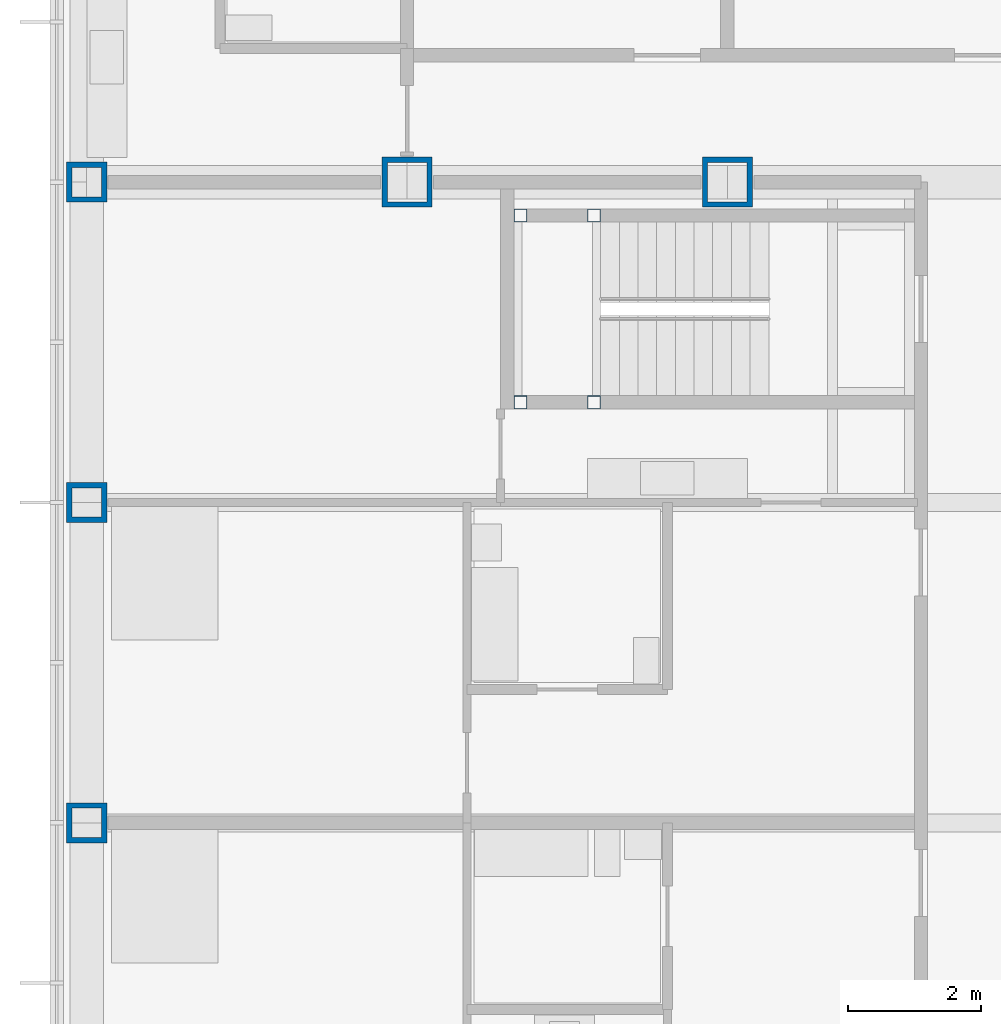
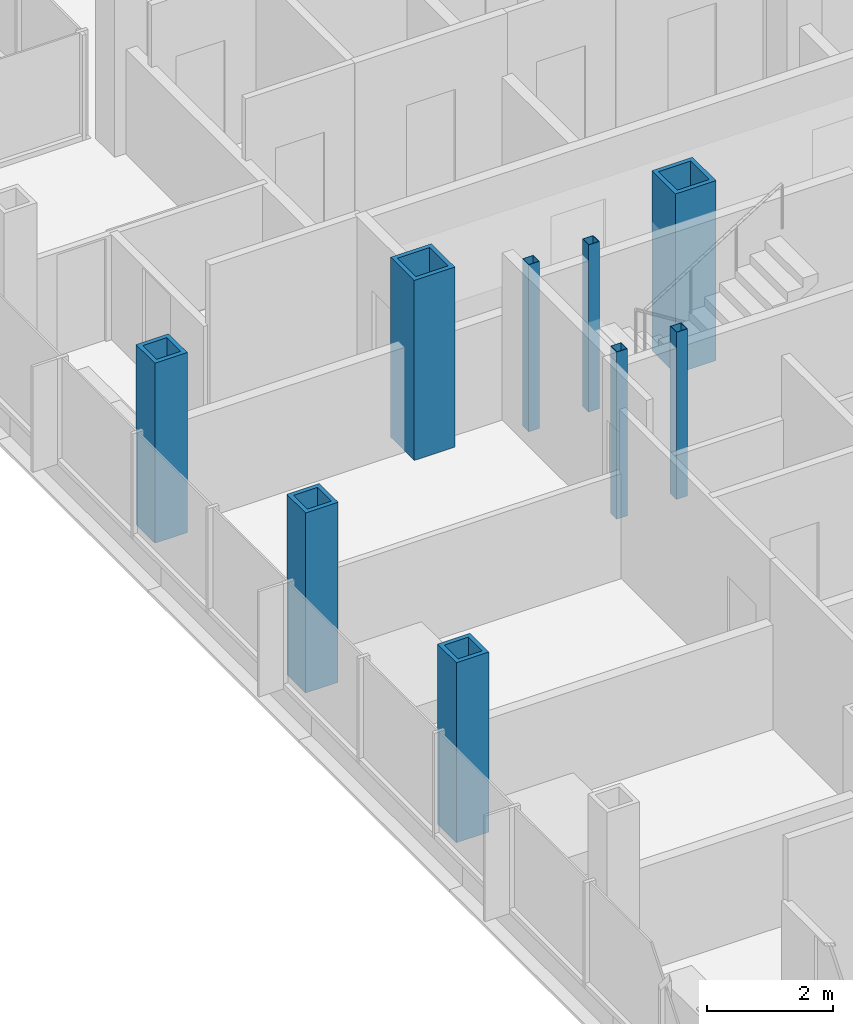
# One storey, part 3 of 22: 9 columns.
"""IFC4 building model written with IfcOpenShell, lengths in metres."""

from ifc_helpers import new_model, si_unit, direction, frame, origin, origin_2d, place, context, subcontext, project, spatial, hollow_rectangle, extrude, material, material_profile, profile_set, type_object, element, save


model = new_model("IFC4")

# Units and contexts
model_context = context("Model", 3, precision=1e-05, world=origin(), true_north=direction((0.0, 1.0)))
body_context = subcontext(model_context, "Body", "Model", "MODEL_VIEW")
ifc_project = project(units=[si_unit("LENGTHUNIT", "METRE"), si_unit("AREAUNIT", "SQUARE_METRE"), si_unit("VOLUMEUNIT", "CUBIC_METRE"), si_unit("PLANEANGLEUNIT", "RADIAN"), si_unit("MASSUNIT", "GRAM", prefix="KILO")], contexts=[model_context])

# Site, building, storey
site_placement = place(None, origin())
site = spatial("IfcSite", under=ifc_project, at=site_placement, CompositionType="ELEMENT")
building_placement = place(site_placement, origin())
building = spatial("IfcBuilding", under=site, at=building_placement, Name="Kvirike Care Tower", CompositionType="ELEMENT")
storey_placement = place(building_placement, frame((0.0, 0.0, 76.0)))
storey = spatial("IfcBuildingStorey", under=building, at=storey_placement, Name="L20", CompositionType="ELEMENT", Elevation=76.0)

# Columns
ifc_material_1 = material(Name="Steel S460", Category="steel")
ifc_material_profile_1 = material_profile(ifc_material_1, hollow_rectangle(XDim=0.60009765625, YDim=0.60009765625, WallThickness=0.080078125, at=origin_2d()), Name="BX 600x600x80")
ifc_profile_set_1 = profile_set([ifc_material_profile_1], Name="Steel S460")
column_type_1 = type_object("IfcColumnType", Name="COLUMN BX 600x600x80", PredefinedType="COLUMN", material=ifc_profile_set_1)
for number, where, z_axis, x_axis, name in (
    (1, (0.0, 33.60009765625, 0.0), (0.0, 0.0, 1.0), (1.0, 0.0, 0.0), "Column H3 L20"),
    (2, (0.0, 38.39990234375, 0.0), (0.0, 0.0, 1.0), (1.0, 0.0, 0.0), "Column J3 L20"),
    (3, (0.0, 43.199951171875, 0.0), (0.0, 0.0, 1.0), (0.0, 1.0, 0.0), "Column K3 L20"),
):
    element("IfcColumn", number, at=place(storey_placement, frame(where, z_axis=z_axis, x_axis=x_axis)), inside=storey, type_object=column_type_1, Name=name, PredefinedType="COLUMN", context=body_context, shape_type="SweptSolid", body=[
        extrude(hollow_rectangle(XDim=0.60009765625, YDim=0.60009765625, WallThickness=0.080078125, at=origin_2d()), origin(), (0.0, 0.0, 1.0), 3.5),
    ])
ifc_material_2 = material(Name="Steel S460", Category="steel")
ifc_material_profile_2 = material_profile(ifc_material_2, hollow_rectangle(XDim=0.75, YDim=0.75, WallThickness=0.080078125, at=origin_2d()), Name="BX 750x750x80")
ifc_profile_set_2 = profile_set([ifc_material_profile_2], Name="Steel S460")
column_type_2 = type_object("IfcColumnType", Name="COLUMN BX 750x750x80", PredefinedType="COLUMN", material=ifc_profile_set_2)
for number, where, z_axis, x_axis, name in (
    (4, (4.800048828125, 43.199951171875, 0.0), (0.0, 0.0, 1.0), (0.0, 1.0, 0.0), "Column K4 L20"),
    (5, (9.60009765625, 43.199951171875, 0.0), (0.0, 0.0, 1.0), (0.0, 1.0, 0.0), "Column K5 L20"),
):
    element("IfcColumn", number, at=place(storey_placement, frame(where, z_axis=z_axis, x_axis=x_axis)), inside=storey, type_object=column_type_2, Name=name, PredefinedType="COLUMN", context=body_context, shape_type="SweptSolid", body=[
        extrude(hollow_rectangle(XDim=0.75, YDim=0.75, WallThickness=0.080078125, at=origin_2d()), origin(), (0.0, 0.0, 1.0), 3.5),
    ])
ifc_material_3 = material(Name="Steel S460", Category="steel")
ifc_material_profile_3 = material_profile(ifc_material_3, hollow_rectangle(XDim=0.199951171875, YDim=0.199951171875, WallThickness=0.008056640625, at=origin_2d()), Name="SHS 200x200x8")
ifc_profile_set_3 = profile_set([ifc_material_profile_3], Name="Steel S460")
column_type_3 = type_object("IfcColumnType", Name="STAIR POST SHS 200x200x8", PredefinedType="COLUMN", material=ifc_profile_set_3)
for number, where, z_axis, x_axis, name in (
    (6, (6.5, 42.699951171875, 0.0), (0.0, 0.0, 1.0), (1.0, 0.0, 0.0), "Stair 1 post 1 L20"),
    (7, (6.5, 39.89990234375, 0.0), (0.0, 0.0, 1.0), (1.0, 0.0, 0.0), "Stair 1 post 2 L20"),
    (8, (7.60009765625, 42.699951171875, 0.0), (0.0, 0.0, 1.0), (1.0, 0.0, 0.0), "Stair 1 post 3 L20"),
    (9, (7.60009765625, 39.89990234375, 0.0), (0.0, 0.0, 1.0), (1.0, 0.0, 0.0), "Stair 1 post 4 L20"),
):
    element("IfcColumn", number, at=place(storey_placement, frame(where, z_axis=z_axis, x_axis=x_axis)), inside=storey, type_object=column_type_3, Name=name, PredefinedType="COLUMN", context=body_context, shape_type="SweptSolid", body=[
        extrude(hollow_rectangle(XDim=0.199951171875, YDim=0.199951171875, WallThickness=0.008056640625, at=origin_2d()), origin(), (0.0, 0.0, 1.0), 3.25),
    ])

save(model, "model.ifc")
